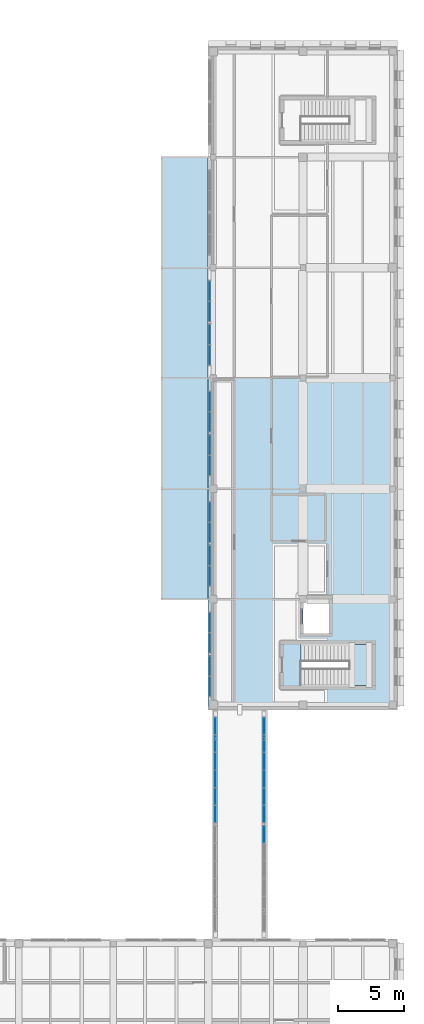
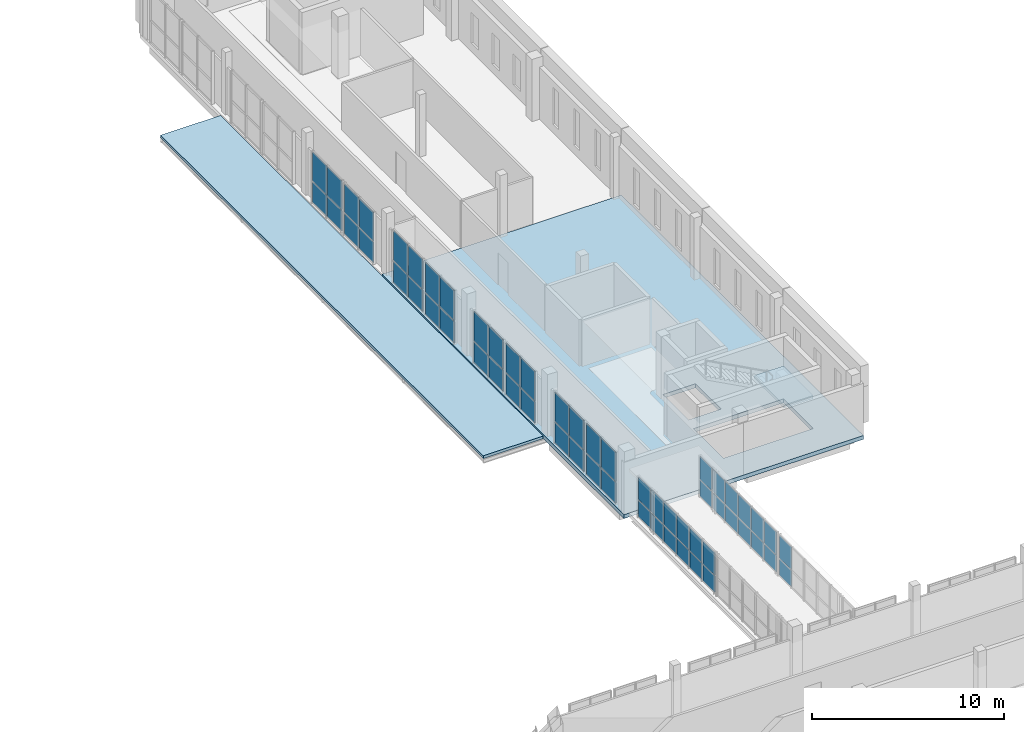
# One storey, part 45 of 76: 58 plates, 3 slabs, 12 elements without a shape of their own.
"""IFC4 building model written with IfcOpenShell, lengths in metres."""

from ifc_helpers import new_model, si_unit, direction, frame, origin, origin_2d, place, context, subcontext, project, spatial, polyline, rectangle, outline, extrude, material, layer, layer_set, type_object, element, aggregate, save


model = new_model("IFC4")

# Units and contexts
model_context = context("Model", 3, precision=1e-05, world=origin(), true_north=direction((0.0, 1.0)))
body_context = subcontext(model_context, "Body", "Model", "MODEL_VIEW")
ifc_project = project(units=[si_unit("LENGTHUNIT", "METRE"), si_unit("AREAUNIT", "SQUARE_METRE"), si_unit("VOLUMEUNIT", "CUBIC_METRE"), si_unit("PLANEANGLEUNIT", "RADIAN"), si_unit("MASSUNIT", "GRAM", prefix="KILO")], contexts=[model_context])

# Site, building, storey
site_placement = place(None, origin())
site = spatial("IfcSite", under=ifc_project, at=site_placement, CompositionType="ELEMENT")
building_placement = place(site_placement, origin())
building = spatial("IfcBuilding", under=site, at=building_placement, Name="Vardoun Plaza Health Centre", CompositionType="ELEMENT")
storey_placement = place(building_placement, frame((0.0, 0.0, 4.5)))
storey = spatial("IfcBuildingStorey", under=building, at=storey_placement, Name="L01", CompositionType="ELEMENT", Elevation=4.5)

# Curtain wall, plates
ifc_material_1 = material(Name="Aluminium Alloy EN AW-6063-T6 and Low-E Glass", Category="aluminium")
ifc_layer_1 = layer(ifc_material_1, 0.14990234375)
ifc_layer_set_1 = layer_set([ifc_layer_1], Name="Aluminium Alloy EN AW-6063-T6 and Low-E Glass")
curtain_wall_type_1 = type_object("IfcCurtainWallType", Name="CW-03", PredefinedType="NOTDEFINED", material=ifc_layer_set_1)
curtain_wall_1_placement = place(storey_placement, origin())
curtain_wall_1 = element("IfcCurtainWall", 1, at=curtain_wall_1_placement, inside=storey, type_object=curtain_wall_type_1, Name="Curtain Wall CW-BR-5ES", PredefinedType="NOTDEFINED")
ifc_material_2 = material(Name="Solar-Control Double Low-E Glazing", Category="glass")
ifc_layer_2 = layer(ifc_material_2, 0.028076171875)
ifc_layer_set_2 = layer_set([ifc_layer_2], Name="Solar-Control Double Low-E Glazing")
plate_type_1 = type_object("IfcPlateType", Name="CW-P1", PredefinedType="CURTAIN_PANEL", material=ifc_layer_set_2)
plate_1_placement = place(storey_placement, frame((155.14990234375, 26.814208984375, 0.06005859375), z_axis=(0.0, 0.0, 1.0), x_axis=(0.0, -1.0, 0.0)))
plate_1 = element("IfcPlate", 2, at=plate_1_placement, type_object=plate_type_1, Name="CW-BR-5ES panel 1.1", PredefinedType="CURTAIN_PANEL", context=body_context, shape_type="SweptSolid", body=[
    extrude(rectangle(XDim=1.251708984375, YDim=0.028076171875, at=origin_2d()), origin(), (0.0, 0.0, 1.0), 1.02294921875),
])
plate_2_placement = place(storey_placement, frame((155.14990234375, 26.814208984375, 1.14306640625), z_axis=(0.0, 0.0, 1.0), x_axis=(0.0, -1.0, 0.0)))
plate_2 = element("IfcPlate", 3, at=plate_2_placement, type_object=plate_type_1, Name="CW-BR-5ES panel 1.2", PredefinedType="CURTAIN_PANEL", context=body_context, shape_type="SweptSolid", body=[
    extrude(rectangle(XDim=1.251708984375, YDim=0.028076171875, at=origin_2d()), origin(), (0.0, 0.0, 1.0), 1.447021484375),
])
aggregate(curtain_wall_1, [plate_1, plate_2])

curtain_wall_2_placement = place(storey_placement, origin())
curtain_wall_2 = element("IfcCurtainWall", 4, at=curtain_wall_2_placement, inside=storey, type_object=curtain_wall_type_1, Name="Curtain Wall CW-BR-5WN", PredefinedType="NOTDEFINED")
plate_3_placement = place(storey_placement, frame((151.449951171875, 28.3857421875, 0.06005859375), z_axis=(0.0, 0.0, 1.0), x_axis=(0.0, 1.0, 0.0)))
plate_3 = element("IfcPlate", 5, at=plate_3_placement, type_object=plate_type_1, Name="CW-BR-5WN panel 1.1", PredefinedType="CURTAIN_PANEL", context=body_context, shape_type="SweptSolid", body=[
    extrude(rectangle(XDim=1.251708984375, YDim=0.028076171875, at=origin_2d()), origin(), (0.0, 0.0, 1.0), 1.02294921875),
])
plate_4_placement = place(storey_placement, frame((151.449951171875, 28.3857421875, 1.14306640625), z_axis=(0.0, 0.0, 1.0), x_axis=(0.0, 1.0, 0.0)))
plate_4 = element("IfcPlate", 6, at=plate_4_placement, type_object=plate_type_1, Name="CW-BR-5WN panel 1.2", PredefinedType="CURTAIN_PANEL", context=body_context, shape_type="SweptSolid", body=[
    extrude(rectangle(XDim=1.251708984375, YDim=0.028076171875, at=origin_2d()), origin(), (0.0, 0.0, 1.0), 1.447021484375),
])
plate_5_placement = place(storey_placement, frame((151.449951171875, 29.71240234375, 0.06005859375), z_axis=(0.0, 0.0, 1.0), x_axis=(0.0, 1.0, 0.0)))
plate_5 = element("IfcPlate", 7, at=plate_5_placement, type_object=plate_type_1, Name="CW-BR-5WN panel 2.1", PredefinedType="CURTAIN_PANEL", context=body_context, shape_type="SweptSolid", body=[
    extrude(rectangle(XDim=1.28173828125, YDim=0.028076171875, at=origin_2d()), origin(), (0.0, 0.0, 1.0), 1.02294921875),
])
plate_6_placement = place(storey_placement, frame((151.449951171875, 29.71240234375, 1.14306640625), z_axis=(0.0, 0.0, 1.0), x_axis=(0.0, 1.0, 0.0)))
plate_6 = element("IfcPlate", 8, at=plate_6_placement, type_object=plate_type_1, Name="CW-BR-5WN panel 2.2", PredefinedType="CURTAIN_PANEL", context=body_context, shape_type="SweptSolid", body=[
    extrude(rectangle(XDim=1.28173828125, YDim=0.028076171875, at=origin_2d()), origin(), (0.0, 0.0, 1.0), 1.447021484375),
])
plate_7_placement = place(storey_placement, frame((151.449951171875, 31.05419921875, 0.06005859375), z_axis=(0.0, 0.0, 1.0), x_axis=(0.0, 1.0, 0.0)))
plate_7 = element("IfcPlate", 9, at=plate_7_placement, type_object=plate_type_1, Name="CW-BR-5WN panel 3.1", PredefinedType="CURTAIN_PANEL", context=body_context, shape_type="SweptSolid", body=[
    extrude(rectangle(XDim=1.28173828125, YDim=0.028076171875, at=origin_2d()), origin(), (0.0, 0.0, 1.0), 1.02294921875),
])
plate_8_placement = place(storey_placement, frame((151.449951171875, 31.05419921875, 1.14306640625), z_axis=(0.0, 0.0, 1.0), x_axis=(0.0, 1.0, 0.0)))
plate_8 = element("IfcPlate", 10, at=plate_8_placement, type_object=plate_type_1, Name="CW-BR-5WN panel 3.2", PredefinedType="CURTAIN_PANEL", context=body_context, shape_type="SweptSolid", body=[
    extrude(rectangle(XDim=1.28173828125, YDim=0.028076171875, at=origin_2d()), origin(), (0.0, 0.0, 1.0), 1.447021484375),
])
plate_9_placement = place(storey_placement, frame((151.449951171875, 32.395751953125, 0.06005859375), z_axis=(0.0, 0.0, 1.0), x_axis=(0.0, 1.0, 0.0)))
plate_9 = element("IfcPlate", 11, at=plate_9_placement, type_object=plate_type_1, Name="CW-BR-5WN panel 4.1", PredefinedType="CURTAIN_PANEL", context=body_context, shape_type="SweptSolid", body=[
    extrude(rectangle(XDim=1.28173828125, YDim=0.028076171875, at=origin_2d()), origin(), (0.0, 0.0, 1.0), 1.02294921875),
])
plate_10_placement = place(storey_placement, frame((151.449951171875, 32.395751953125, 1.14306640625), z_axis=(0.0, 0.0, 1.0), x_axis=(0.0, 1.0, 0.0)))
plate_10 = element("IfcPlate", 12, at=plate_10_placement, type_object=plate_type_1, Name="CW-BR-5WN panel 4.2", PredefinedType="CURTAIN_PANEL", context=body_context, shape_type="SweptSolid", body=[
    extrude(rectangle(XDim=1.28173828125, YDim=0.028076171875, at=origin_2d()), origin(), (0.0, 0.0, 1.0), 1.447021484375),
])
plate_11_placement = place(storey_placement, frame((151.449951171875, 33.737548828125, 0.06005859375), z_axis=(0.0, 0.0, 1.0), x_axis=(0.0, 1.0, 0.0)))
plate_11 = element("IfcPlate", 13, at=plate_11_placement, type_object=plate_type_1, Name="CW-BR-5WN panel 5.1", PredefinedType="CURTAIN_PANEL", context=body_context, shape_type="SweptSolid", body=[
    extrude(rectangle(XDim=1.28173828125, YDim=0.028076171875, at=origin_2d()), origin(), (0.0, 0.0, 1.0), 1.02294921875),
])
plate_12_placement = place(storey_placement, frame((151.449951171875, 33.737548828125, 1.14306640625), z_axis=(0.0, 0.0, 1.0), x_axis=(0.0, 1.0, 0.0)))
plate_12 = element("IfcPlate", 14, at=plate_12_placement, type_object=plate_type_1, Name="CW-BR-5WN panel 5.2", PredefinedType="CURTAIN_PANEL", context=body_context, shape_type="SweptSolid", body=[
    extrude(rectangle(XDim=1.28173828125, YDim=0.028076171875, at=origin_2d()), origin(), (0.0, 0.0, 1.0), 1.447021484375),
])
plate_13_placement = place(storey_placement, frame((151.449951171875, 35.064208984375, 0.06005859375), z_axis=(0.0, 0.0, 1.0), x_axis=(0.0, 1.0, 0.0)))
plate_13 = element("IfcPlate", 15, at=plate_13_placement, type_object=plate_type_1, Name="CW-BR-5WN panel 6.1", PredefinedType="CURTAIN_PANEL", context=body_context, shape_type="SweptSolid", body=[
    extrude(rectangle(XDim=1.251708984375, YDim=0.028076171875, at=origin_2d()), origin(), (0.0, 0.0, 1.0), 1.02294921875),
])
plate_14_placement = place(storey_placement, frame((151.449951171875, 35.064208984375, 1.14306640625), z_axis=(0.0, 0.0, 1.0), x_axis=(0.0, 1.0, 0.0)))
plate_14 = element("IfcPlate", 16, at=plate_14_placement, type_object=plate_type_1, Name="CW-BR-5WN panel 6.2", PredefinedType="CURTAIN_PANEL", context=body_context, shape_type="SweptSolid", body=[
    extrude(rectangle(XDim=1.251708984375, YDim=0.028076171875, at=origin_2d()), origin(), (0.0, 0.0, 1.0), 1.447021484375),
])
aggregate(curtain_wall_2, [plate_3, plate_4, plate_5, plate_6, plate_7, plate_8, plate_9, plate_10, plate_11, plate_12, plate_13, plate_14])

curtain_wall_3_placement = place(storey_placement, origin())
curtain_wall_3 = element("IfcCurtainWall", 17, at=curtain_wall_3_placement, inside=storey, type_object=curtain_wall_type_1, Name="Curtain Wall CW-BR-5EN", PredefinedType="NOTDEFINED")
plate_15_placement = place(storey_placement, frame((155.14990234375, 35.064208984375, 0.06005859375), z_axis=(0.0, 0.0, 1.0), x_axis=(0.0, -1.0, 0.0)))
plate_15 = element("IfcPlate", 18, at=plate_15_placement, type_object=plate_type_1, Name="CW-BR-5EN panel 1.1", PredefinedType="CURTAIN_PANEL", context=body_context, shape_type="SweptSolid", body=[
    extrude(rectangle(XDim=1.251708984375, YDim=0.028076171875, at=origin_2d()), origin(), (0.0, 0.0, 1.0), 1.02294921875),
])
plate_16_placement = place(storey_placement, frame((155.14990234375, 35.064208984375, 1.14306640625), z_axis=(0.0, 0.0, 1.0), x_axis=(0.0, -1.0, 0.0)))
plate_16 = element("IfcPlate", 19, at=plate_16_placement, type_object=plate_type_1, Name="CW-BR-5EN panel 1.2", PredefinedType="CURTAIN_PANEL", context=body_context, shape_type="SweptSolid", body=[
    extrude(rectangle(XDim=1.251708984375, YDim=0.028076171875, at=origin_2d()), origin(), (0.0, 0.0, 1.0), 1.447021484375),
])
plate_17_placement = place(storey_placement, frame((155.14990234375, 33.737548828125, 0.06005859375), z_axis=(0.0, 0.0, 1.0), x_axis=(0.0, -1.0, 0.0)))
plate_17 = element("IfcPlate", 20, at=plate_17_placement, type_object=plate_type_1, Name="CW-BR-5EN panel 2.1", PredefinedType="CURTAIN_PANEL", context=body_context, shape_type="SweptSolid", body=[
    extrude(rectangle(XDim=1.28173828125, YDim=0.028076171875, at=origin_2d()), origin(), (0.0, 0.0, 1.0), 1.02294921875),
])
plate_18_placement = place(storey_placement, frame((155.14990234375, 33.737548828125, 1.14306640625), z_axis=(0.0, 0.0, 1.0), x_axis=(0.0, -1.0, 0.0)))
plate_18 = element("IfcPlate", 21, at=plate_18_placement, type_object=plate_type_1, Name="CW-BR-5EN panel 2.2", PredefinedType="CURTAIN_PANEL", context=body_context, shape_type="SweptSolid", body=[
    extrude(rectangle(XDim=1.28173828125, YDim=0.028076171875, at=origin_2d()), origin(), (0.0, 0.0, 1.0), 1.447021484375),
])
plate_19_placement = place(storey_placement, frame((155.14990234375, 32.395751953125, 0.06005859375), z_axis=(0.0, 0.0, 1.0), x_axis=(0.0, -1.0, 0.0)))
plate_19 = element("IfcPlate", 22, at=plate_19_placement, type_object=plate_type_1, Name="CW-BR-5EN panel 3.1", PredefinedType="CURTAIN_PANEL", context=body_context, shape_type="SweptSolid", body=[
    extrude(rectangle(XDim=1.28173828125, YDim=0.028076171875, at=origin_2d()), origin(), (0.0, 0.0, 1.0), 1.02294921875),
])
plate_20_placement = place(storey_placement, frame((155.14990234375, 32.395751953125, 1.14306640625), z_axis=(0.0, 0.0, 1.0), x_axis=(0.0, -1.0, 0.0)))
plate_20 = element("IfcPlate", 23, at=plate_20_placement, type_object=plate_type_1, Name="CW-BR-5EN panel 3.2", PredefinedType="CURTAIN_PANEL", context=body_context, shape_type="SweptSolid", body=[
    extrude(rectangle(XDim=1.28173828125, YDim=0.028076171875, at=origin_2d()), origin(), (0.0, 0.0, 1.0), 1.447021484375),
])
plate_21_placement = place(storey_placement, frame((155.14990234375, 31.05419921875, 0.06005859375), z_axis=(0.0, 0.0, 1.0), x_axis=(0.0, -1.0, 0.0)))
plate_21 = element("IfcPlate", 24, at=plate_21_placement, type_object=plate_type_1, Name="CW-BR-5EN panel 4.1", PredefinedType="CURTAIN_PANEL", context=body_context, shape_type="SweptSolid", body=[
    extrude(rectangle(XDim=1.28173828125, YDim=0.028076171875, at=origin_2d()), origin(), (0.0, 0.0, 1.0), 1.02294921875),
])
plate_22_placement = place(storey_placement, frame((155.14990234375, 31.05419921875, 1.14306640625), z_axis=(0.0, 0.0, 1.0), x_axis=(0.0, -1.0, 0.0)))
plate_22 = element("IfcPlate", 25, at=plate_22_placement, type_object=plate_type_1, Name="CW-BR-5EN panel 4.2", PredefinedType="CURTAIN_PANEL", context=body_context, shape_type="SweptSolid", body=[
    extrude(rectangle(XDim=1.28173828125, YDim=0.028076171875, at=origin_2d()), origin(), (0.0, 0.0, 1.0), 1.447021484375),
])
plate_23_placement = place(storey_placement, frame((155.14990234375, 29.71240234375, 0.06005859375), z_axis=(0.0, 0.0, 1.0), x_axis=(0.0, -1.0, 0.0)))
plate_23 = element("IfcPlate", 26, at=plate_23_placement, type_object=plate_type_1, Name="CW-BR-5EN panel 5.1", PredefinedType="CURTAIN_PANEL", context=body_context, shape_type="SweptSolid", body=[
    extrude(rectangle(XDim=1.28173828125, YDim=0.028076171875, at=origin_2d()), origin(), (0.0, 0.0, 1.0), 1.02294921875),
])
plate_24_placement = place(storey_placement, frame((155.14990234375, 29.71240234375, 1.14306640625), z_axis=(0.0, 0.0, 1.0), x_axis=(0.0, -1.0, 0.0)))
plate_24 = element("IfcPlate", 27, at=plate_24_placement, type_object=plate_type_1, Name="CW-BR-5EN panel 5.2", PredefinedType="CURTAIN_PANEL", context=body_context, shape_type="SweptSolid", body=[
    extrude(rectangle(XDim=1.28173828125, YDim=0.028076171875, at=origin_2d()), origin(), (0.0, 0.0, 1.0), 1.447021484375),
])
plate_25_placement = place(storey_placement, frame((155.14990234375, 28.3857421875, 0.06005859375), z_axis=(0.0, 0.0, 1.0), x_axis=(0.0, -1.0, 0.0)))
plate_25 = element("IfcPlate", 28, at=plate_25_placement, type_object=plate_type_1, Name="CW-BR-5EN panel 6.1", PredefinedType="CURTAIN_PANEL", context=body_context, shape_type="SweptSolid", body=[
    extrude(rectangle(XDim=1.251708984375, YDim=0.028076171875, at=origin_2d()), origin(), (0.0, 0.0, 1.0), 1.02294921875),
])
plate_26_placement = place(storey_placement, frame((155.14990234375, 28.3857421875, 1.14306640625), z_axis=(0.0, 0.0, 1.0), x_axis=(0.0, -1.0, 0.0)))
plate_26 = element("IfcPlate", 29, at=plate_26_placement, type_object=plate_type_1, Name="CW-BR-5EN panel 6.2", PredefinedType="CURTAIN_PANEL", context=body_context, shape_type="SweptSolid", body=[
    extrude(rectangle(XDim=1.251708984375, YDim=0.028076171875, at=origin_2d()), origin(), (0.0, 0.0, 1.0), 1.447021484375),
])
aggregate(curtain_wall_3, [plate_15, plate_16, plate_17, plate_18, plate_19, plate_20, plate_21, plate_22, plate_23, plate_24, plate_25, plate_26])

ifc_material_3 = material(Name="Aluminium Alloy EN AW-6063-T6 and Low-E Glass", Category="aluminium")
ifc_layer_3 = layer(ifc_material_3, 0.179931640625)
ifc_layer_set_3 = layer_set([ifc_layer_3], Name="Aluminium Alloy EN AW-6063-T6 and Low-E Glass")
curtain_wall_type_2 = type_object("IfcCurtainWallType", Name="CW-01", PredefinedType="USERDEFINED", material=ifc_layer_set_3)
curtain_wall_4_placement = place(storey_placement, origin())
curtain_wall_4 = element("IfcCurtainWall", 30, at=curtain_wall_4_placement, inside=storey, type_object=curtain_wall_type_2, Name="Curtain Wall CW-V6-203", ObjectType="CONCOURSE_CURTAIN_WALL", PredefinedType="USERDEFINED")
ifc_material_4 = material(Name="Acoustic Laminated Double Low-E Glazing", Category="glass")
ifc_layer_4 = layer(ifc_material_4, 0.031982421875)
ifc_layer_set_4 = layer_set([ifc_layer_4], Name="Acoustic Laminated Double Low-E Glazing")
plate_type_2 = type_object("IfcPlateType", Name="CW-P2", PredefinedType="CURTAIN_PANEL", material=ifc_layer_set_4)
plate_27_placement = place(storey_placement, frame((151.02001953125, 38.066162109375, 0.06494140625), z_axis=(0.0, 0.0, 1.0), x_axis=(0.0, 1.0, 0.0)))
plate_27 = element("IfcPlate", 31, at=plate_27_placement, type_object=plate_type_2, Name="CW-V6-203 panel 1.1", PredefinedType="CURTAIN_PANEL", context=body_context, shape_type="SweptSolid", body=[
    extrude(rectangle(XDim=1.482421875, YDim=0.031982421875, at=origin_2d()), origin(), (0.0, 0.0, 1.0), 1.3115234375),
])
plate_28_placement = place(storey_placement, frame((151.02001953125, 38.066162109375, 1.44140625), z_axis=(0.0, 0.0, 1.0), x_axis=(0.0, 1.0, 0.0)))
plate_28 = element("IfcPlate", 32, at=plate_28_placement, type_object=plate_type_2, Name="CW-V6-203 panel 1.2", PredefinedType="CURTAIN_PANEL", context=body_context, shape_type="SweptSolid", body=[
    extrude(rectangle(XDim=1.482421875, YDim=0.031982421875, at=origin_2d()), origin(), (0.0, 0.0, 1.0), 1.848388671875),
])
plate_29_placement = place(storey_placement, frame((151.02001953125, 39.61376953125, 0.06494140625), z_axis=(0.0, 0.0, 1.0), x_axis=(0.0, 1.0, 0.0)))
plate_29 = element("IfcPlate", 33, at=plate_29_placement, type_object=plate_type_2, Name="CW-V6-203 panel 2.1", PredefinedType="CURTAIN_PANEL", context=body_context, shape_type="SweptSolid", body=[
    extrude(rectangle(XDim=1.482421875, YDim=0.031982421875, at=origin_2d()), origin(), (0.0, 0.0, 1.0), 1.3115234375),
])
plate_30_placement = place(storey_placement, frame((151.02001953125, 39.61376953125, 1.44140625), z_axis=(0.0, 0.0, 1.0), x_axis=(0.0, 1.0, 0.0)))
plate_30 = element("IfcPlate", 34, at=plate_30_placement, type_object=plate_type_2, Name="CW-V6-203 panel 2.2", PredefinedType="CURTAIN_PANEL", context=body_context, shape_type="SweptSolid", body=[
    extrude(rectangle(XDim=1.482421875, YDim=0.031982421875, at=origin_2d()), origin(), (0.0, 0.0, 1.0), 1.848388671875),
])
aggregate(curtain_wall_4, [plate_27, plate_28, plate_29, plate_30])

curtain_wall_5_placement = place(storey_placement, origin())
curtain_wall_5 = element("IfcCurtainWall", 35, at=curtain_wall_5_placement, inside=storey, type_object=curtain_wall_type_2, Name="Curtain Wall CW-V6-204", ObjectType="CONCOURSE_CURTAIN_WALL", PredefinedType="USERDEFINED")
plate_31_placement = place(storey_placement, frame((151.02001953125, 41.38623046875, 0.06494140625), z_axis=(0.0, 0.0, 1.0), x_axis=(0.0, 1.0, 0.0)))
plate_31 = element("IfcPlate", 36, at=plate_31_placement, type_object=plate_type_2, Name="CW-V6-204 panel 1.1", PredefinedType="CURTAIN_PANEL", context=body_context, shape_type="SweptSolid", body=[
    extrude(rectangle(XDim=1.482421875, YDim=0.031982421875, at=origin_2d()), origin(), (0.0, 0.0, 1.0), 1.3115234375),
])
plate_32_placement = place(storey_placement, frame((151.02001953125, 41.38623046875, 1.44140625), z_axis=(0.0, 0.0, 1.0), x_axis=(0.0, 1.0, 0.0)))
plate_32 = element("IfcPlate", 37, at=plate_32_placement, type_object=plate_type_2, Name="CW-V6-204 panel 1.2", PredefinedType="CURTAIN_PANEL", context=body_context, shape_type="SweptSolid", body=[
    extrude(rectangle(XDim=1.482421875, YDim=0.031982421875, at=origin_2d()), origin(), (0.0, 0.0, 1.0), 1.848388671875),
])
plate_33_placement = place(storey_placement, frame((151.02001953125, 42.933837890625, 0.06494140625), z_axis=(0.0, 0.0, 1.0), x_axis=(0.0, 1.0, 0.0)))
plate_33 = element("IfcPlate", 38, at=plate_33_placement, type_object=plate_type_2, Name="CW-V6-204 panel 2.1", PredefinedType="CURTAIN_PANEL", context=body_context, shape_type="SweptSolid", body=[
    extrude(rectangle(XDim=1.482421875, YDim=0.031982421875, at=origin_2d()), origin(), (0.0, 0.0, 1.0), 1.3115234375),
])
plate_34_placement = place(storey_placement, frame((151.02001953125, 42.933837890625, 1.44140625), z_axis=(0.0, 0.0, 1.0), x_axis=(0.0, 1.0, 0.0)))
plate_34 = element("IfcPlate", 39, at=plate_34_placement, type_object=plate_type_2, Name="CW-V6-204 panel 2.2", PredefinedType="CURTAIN_PANEL", context=body_context, shape_type="SweptSolid", body=[
    extrude(rectangle(XDim=1.482421875, YDim=0.031982421875, at=origin_2d()), origin(), (0.0, 0.0, 1.0), 1.848388671875),
])
aggregate(curtain_wall_5, [plate_31, plate_32, plate_33, plate_34])

curtain_wall_6_placement = place(storey_placement, origin())
curtain_wall_6 = element("IfcCurtainWall", 40, at=curtain_wall_6_placement, inside=storey, type_object=curtain_wall_type_2, Name="Curtain Wall CW-V6-205", ObjectType="CONCOURSE_CURTAIN_WALL", PredefinedType="USERDEFINED")
plate_35_placement = place(storey_placement, frame((151.02001953125, 46.46630859375, 0.06494140625), z_axis=(0.0, 0.0, 1.0), x_axis=(0.0, 1.0, 0.0)))
plate_35 = element("IfcPlate", 41, at=plate_35_placement, type_object=plate_type_2, Name="CW-V6-205 panel 1.1", PredefinedType="CURTAIN_PANEL", context=body_context, shape_type="SweptSolid", body=[
    extrude(rectangle(XDim=1.482421875, YDim=0.031982421875, at=origin_2d()), origin(), (0.0, 0.0, 1.0), 1.32421875),
])
plate_36_placement = place(storey_placement, frame((151.02001953125, 46.46630859375, 1.454345703125), z_axis=(0.0, 0.0, 1.0), x_axis=(0.0, 1.0, 0.0)))
plate_36 = element("IfcPlate", 42, at=plate_36_placement, type_object=plate_type_2, Name="CW-V6-205 panel 1.2", PredefinedType="CURTAIN_PANEL", context=body_context, shape_type="SweptSolid", body=[
    extrude(rectangle(XDim=1.482421875, YDim=0.031982421875, at=origin_2d()), origin(), (0.0, 0.0, 1.0), 1.86572265625),
])
plate_37_placement = place(storey_placement, frame((151.02001953125, 48.013671875, 0.06494140625), z_axis=(0.0, 0.0, 1.0), x_axis=(0.0, 1.0, 0.0)))
plate_37 = element("IfcPlate", 43, at=plate_37_placement, type_object=plate_type_2, Name="CW-V6-205 panel 2.1", PredefinedType="CURTAIN_PANEL", context=body_context, shape_type="SweptSolid", body=[
    extrude(rectangle(XDim=1.482421875, YDim=0.031982421875, at=origin_2d()), origin(), (0.0, 0.0, 1.0), 1.32421875),
])
plate_38_placement = place(storey_placement, frame((151.02001953125, 48.013671875, 1.454345703125), z_axis=(0.0, 0.0, 1.0), x_axis=(0.0, 1.0, 0.0)))
plate_38 = element("IfcPlate", 44, at=plate_38_placement, type_object=plate_type_2, Name="CW-V6-205 panel 2.2", PredefinedType="CURTAIN_PANEL", context=body_context, shape_type="SweptSolid", body=[
    extrude(rectangle(XDim=1.482421875, YDim=0.031982421875, at=origin_2d()), origin(), (0.0, 0.0, 1.0), 1.86572265625),
])
aggregate(curtain_wall_6, [plate_35, plate_36, plate_37, plate_38])

curtain_wall_7_placement = place(storey_placement, origin())
curtain_wall_7 = element("IfcCurtainWall", 45, at=curtain_wall_7_placement, inside=storey, type_object=curtain_wall_type_2, Name="Curtain Wall CW-V6-206", ObjectType="CONCOURSE_CURTAIN_WALL", PredefinedType="USERDEFINED")
plate_39_placement = place(storey_placement, frame((151.02001953125, 49.7861328125, 0.06494140625), z_axis=(0.0, 0.0, 1.0), x_axis=(0.0, 1.0, 0.0)))
plate_39 = element("IfcPlate", 46, at=plate_39_placement, type_object=plate_type_2, Name="CW-V6-206 panel 1.1", PredefinedType="CURTAIN_PANEL", context=body_context, shape_type="SweptSolid", body=[
    extrude(rectangle(XDim=1.482421875, YDim=0.031982421875, at=origin_2d()), origin(), (0.0, 0.0, 1.0), 1.32421875),
])
plate_40_placement = place(storey_placement, frame((151.02001953125, 49.7861328125, 1.454345703125), z_axis=(0.0, 0.0, 1.0), x_axis=(0.0, 1.0, 0.0)))
plate_40 = element("IfcPlate", 47, at=plate_40_placement, type_object=plate_type_2, Name="CW-V6-206 panel 1.2", PredefinedType="CURTAIN_PANEL", context=body_context, shape_type="SweptSolid", body=[
    extrude(rectangle(XDim=1.482421875, YDim=0.031982421875, at=origin_2d()), origin(), (0.0, 0.0, 1.0), 1.86572265625),
])
plate_41_placement = place(storey_placement, frame((151.02001953125, 51.333740234375, 0.06494140625), z_axis=(0.0, 0.0, 1.0), x_axis=(0.0, 1.0, 0.0)))
plate_41 = element("IfcPlate", 48, at=plate_41_placement, type_object=plate_type_2, Name="CW-V6-206 panel 2.1", PredefinedType="CURTAIN_PANEL", context=body_context, shape_type="SweptSolid", body=[
    extrude(rectangle(XDim=1.482421875, YDim=0.031982421875, at=origin_2d()), origin(), (0.0, 0.0, 1.0), 1.32421875),
])
plate_42_placement = place(storey_placement, frame((151.02001953125, 51.333740234375, 1.454345703125), z_axis=(0.0, 0.0, 1.0), x_axis=(0.0, 1.0, 0.0)))
plate_42 = element("IfcPlate", 49, at=plate_42_placement, type_object=plate_type_2, Name="CW-V6-206 panel 2.2", PredefinedType="CURTAIN_PANEL", context=body_context, shape_type="SweptSolid", body=[
    extrude(rectangle(XDim=1.482421875, YDim=0.031982421875, at=origin_2d()), origin(), (0.0, 0.0, 1.0), 1.86572265625),
])
aggregate(curtain_wall_7, [plate_39, plate_40, plate_41, plate_42])

curtain_wall_8_placement = place(storey_placement, origin())
curtain_wall_8 = element("IfcCurtainWall", 50, at=curtain_wall_8_placement, inside=storey, type_object=curtain_wall_type_2, Name="Curtain Wall CW-V6-207", ObjectType="CONCOURSE_CURTAIN_WALL", PredefinedType="USERDEFINED")
plate_43_placement = place(storey_placement, frame((151.02001953125, 54.8662109375, 0.06494140625), z_axis=(0.0, 0.0, 1.0), x_axis=(0.0, 1.0, 0.0)))
plate_43 = element("IfcPlate", 51, at=plate_43_placement, type_object=plate_type_2, Name="CW-V6-207 panel 1.1", PredefinedType="CURTAIN_PANEL", context=body_context, shape_type="SweptSolid", body=[
    extrude(rectangle(XDim=1.482421875, YDim=0.031982421875, at=origin_2d()), origin(), (0.0, 0.0, 1.0), 1.34521484375),
])
plate_44_placement = place(storey_placement, frame((151.02001953125, 54.8662109375, 1.47509765625), z_axis=(0.0, 0.0, 1.0), x_axis=(0.0, 1.0, 0.0)))
plate_44 = element("IfcPlate", 52, at=plate_44_placement, type_object=plate_type_2, Name="CW-V6-207 panel 1.2", PredefinedType="CURTAIN_PANEL", context=body_context, shape_type="SweptSolid", body=[
    extrude(rectangle(XDim=1.482421875, YDim=0.031982421875, at=origin_2d()), origin(), (0.0, 0.0, 1.0), 1.894775390625),
])
plate_45_placement = place(storey_placement, frame((151.02001953125, 56.413818359375, 0.06494140625), z_axis=(0.0, 0.0, 1.0), x_axis=(0.0, 1.0, 0.0)))
plate_45 = element("IfcPlate", 53, at=plate_45_placement, type_object=plate_type_2, Name="CW-V6-207 panel 2.1", PredefinedType="CURTAIN_PANEL", context=body_context, shape_type="SweptSolid", body=[
    extrude(rectangle(XDim=1.482421875, YDim=0.031982421875, at=origin_2d()), origin(), (0.0, 0.0, 1.0), 1.34521484375),
])
plate_46_placement = place(storey_placement, frame((151.02001953125, 56.413818359375, 1.47509765625), z_axis=(0.0, 0.0, 1.0), x_axis=(0.0, 1.0, 0.0)))
plate_46 = element("IfcPlate", 54, at=plate_46_placement, type_object=plate_type_2, Name="CW-V6-207 panel 2.2", PredefinedType="CURTAIN_PANEL", context=body_context, shape_type="SweptSolid", body=[
    extrude(rectangle(XDim=1.482421875, YDim=0.031982421875, at=origin_2d()), origin(), (0.0, 0.0, 1.0), 1.894775390625),
])
aggregate(curtain_wall_8, [plate_43, plate_44, plate_45, plate_46])

curtain_wall_9_placement = place(storey_placement, origin())
curtain_wall_9 = element("IfcCurtainWall", 55, at=curtain_wall_9_placement, inside=storey, type_object=curtain_wall_type_2, Name="Curtain Wall CW-V6-208", ObjectType="CONCOURSE_CURTAIN_WALL", PredefinedType="USERDEFINED")
plate_47_placement = place(storey_placement, frame((151.02001953125, 58.186279296875, 0.06494140625), z_axis=(0.0, 0.0, 1.0), x_axis=(0.0, 1.0, 0.0)))
plate_47 = element("IfcPlate", 56, at=plate_47_placement, type_object=plate_type_2, Name="CW-V6-208 panel 1.1", PredefinedType="CURTAIN_PANEL", context=body_context, shape_type="SweptSolid", body=[
    extrude(rectangle(XDim=1.482421875, YDim=0.031982421875, at=origin_2d()), origin(), (0.0, 0.0, 1.0), 1.34521484375),
])
plate_48_placement = place(storey_placement, frame((151.02001953125, 58.186279296875, 1.47509765625), z_axis=(0.0, 0.0, 1.0), x_axis=(0.0, 1.0, 0.0)))
plate_48 = element("IfcPlate", 57, at=plate_48_placement, type_object=plate_type_2, Name="CW-V6-208 panel 1.2", PredefinedType="CURTAIN_PANEL", context=body_context, shape_type="SweptSolid", body=[
    extrude(rectangle(XDim=1.482421875, YDim=0.031982421875, at=origin_2d()), origin(), (0.0, 0.0, 1.0), 1.894775390625),
])
plate_49_placement = place(storey_placement, frame((151.02001953125, 59.733642578125, 0.06494140625), z_axis=(0.0, 0.0, 1.0), x_axis=(0.0, 1.0, 0.0)))
plate_49 = element("IfcPlate", 58, at=plate_49_placement, type_object=plate_type_2, Name="CW-V6-208 panel 2.1", PredefinedType="CURTAIN_PANEL", context=body_context, shape_type="SweptSolid", body=[
    extrude(rectangle(XDim=1.482421875, YDim=0.031982421875, at=origin_2d()), origin(), (0.0, 0.0, 1.0), 1.34521484375),
])
plate_50_placement = place(storey_placement, frame((151.02001953125, 59.733642578125, 1.47509765625), z_axis=(0.0, 0.0, 1.0), x_axis=(0.0, 1.0, 0.0)))
plate_50 = element("IfcPlate", 59, at=plate_50_placement, type_object=plate_type_2, Name="CW-V6-208 panel 2.2", PredefinedType="CURTAIN_PANEL", context=body_context, shape_type="SweptSolid", body=[
    extrude(rectangle(XDim=1.482421875, YDim=0.031982421875, at=origin_2d()), origin(), (0.0, 0.0, 1.0), 1.894775390625),
])
aggregate(curtain_wall_9, [plate_47, plate_48, plate_49, plate_50])

curtain_wall_10_placement = place(storey_placement, origin())
curtain_wall_10 = element("IfcCurtainWall", 60, at=curtain_wall_10_placement, inside=storey, type_object=curtain_wall_type_2, Name="Curtain Wall CW-V6-209", ObjectType="CONCOURSE_CURTAIN_WALL", PredefinedType="USERDEFINED")
plate_51_placement = place(storey_placement, frame((151.02001953125, 63.266357421875, 0.06494140625), z_axis=(0.0, 0.0, 1.0), x_axis=(0.0, 1.0, 0.0)))
plate_51 = element("IfcPlate", 61, at=plate_51_placement, type_object=plate_type_2, Name="CW-V6-209 panel 1.1", PredefinedType="CURTAIN_PANEL", context=body_context, shape_type="SweptSolid", body=[
    extrude(rectangle(XDim=1.482421875, YDim=0.031982421875, at=origin_2d()), origin(), (0.0, 0.0, 1.0), 1.294921875),
])
plate_52_placement = place(storey_placement, frame((151.02001953125, 63.266357421875, 1.4248046875), z_axis=(0.0, 0.0, 1.0), x_axis=(0.0, 1.0, 0.0)))
plate_52 = element("IfcPlate", 62, at=plate_52_placement, type_object=plate_type_2, Name="CW-V6-209 panel 1.2", PredefinedType="CURTAIN_PANEL", context=body_context, shape_type="SweptSolid", body=[
    extrude(rectangle(XDim=1.482421875, YDim=0.031982421875, at=origin_2d()), origin(), (0.0, 0.0, 1.0), 1.8251953125),
])
plate_53_placement = place(storey_placement, frame((151.02001953125, 64.813720703125, 0.06494140625), z_axis=(0.0, 0.0, 1.0), x_axis=(0.0, 1.0, 0.0)))
plate_53 = element("IfcPlate", 63, at=plate_53_placement, type_object=plate_type_2, Name="CW-V6-209 panel 2.1", PredefinedType="CURTAIN_PANEL", context=body_context, shape_type="SweptSolid", body=[
    extrude(rectangle(XDim=1.482421875, YDim=0.031982421875, at=origin_2d()), origin(), (0.0, 0.0, 1.0), 1.294921875),
])
plate_54_placement = place(storey_placement, frame((151.02001953125, 64.813720703125, 1.4248046875), z_axis=(0.0, 0.0, 1.0), x_axis=(0.0, 1.0, 0.0)))
plate_54 = element("IfcPlate", 64, at=plate_54_placement, type_object=plate_type_2, Name="CW-V6-209 panel 2.2", PredefinedType="CURTAIN_PANEL", context=body_context, shape_type="SweptSolid", body=[
    extrude(rectangle(XDim=1.482421875, YDim=0.031982421875, at=origin_2d()), origin(), (0.0, 0.0, 1.0), 1.8251953125),
])
aggregate(curtain_wall_10, [plate_51, plate_52, plate_53, plate_54])

curtain_wall_11_placement = place(storey_placement, origin())
curtain_wall_11 = element("IfcCurtainWall", 65, at=curtain_wall_11_placement, inside=storey, type_object=curtain_wall_type_2, Name="Curtain Wall CW-V6-210", ObjectType="CONCOURSE_CURTAIN_WALL", PredefinedType="USERDEFINED")
plate_55_placement = place(storey_placement, frame((151.02001953125, 66.586181640625, 0.06494140625), z_axis=(0.0, 0.0, 1.0), x_axis=(0.0, 1.0, 0.0)))
plate_55 = element("IfcPlate", 66, at=plate_55_placement, type_object=plate_type_2, Name="CW-V6-210 panel 1.1", PredefinedType="CURTAIN_PANEL", context=body_context, shape_type="SweptSolid", body=[
    extrude(rectangle(XDim=1.482421875, YDim=0.031982421875, at=origin_2d()), origin(), (0.0, 0.0, 1.0), 1.294921875),
])
plate_56_placement = place(storey_placement, frame((151.02001953125, 66.586181640625, 1.4248046875), z_axis=(0.0, 0.0, 1.0), x_axis=(0.0, 1.0, 0.0)))
plate_56 = element("IfcPlate", 67, at=plate_56_placement, type_object=plate_type_2, Name="CW-V6-210 panel 1.2", PredefinedType="CURTAIN_PANEL", context=body_context, shape_type="SweptSolid", body=[
    extrude(rectangle(XDim=1.482421875, YDim=0.031982421875, at=origin_2d()), origin(), (0.0, 0.0, 1.0), 1.8251953125),
])
plate_57_placement = place(storey_placement, frame((151.02001953125, 68.1337890625, 0.06494140625), z_axis=(0.0, 0.0, 1.0), x_axis=(0.0, 1.0, 0.0)))
plate_57 = element("IfcPlate", 68, at=plate_57_placement, type_object=plate_type_2, Name="CW-V6-210 panel 2.1", PredefinedType="CURTAIN_PANEL", context=body_context, shape_type="SweptSolid", body=[
    extrude(rectangle(XDim=1.482421875, YDim=0.031982421875, at=origin_2d()), origin(), (0.0, 0.0, 1.0), 1.294921875),
])
plate_58_placement = place(storey_placement, frame((151.02001953125, 68.1337890625, 1.4248046875), z_axis=(0.0, 0.0, 1.0), x_axis=(0.0, 1.0, 0.0)))
plate_58 = element("IfcPlate", 69, at=plate_58_placement, type_object=plate_type_2, Name="CW-V6-210 panel 2.2", PredefinedType="CURTAIN_PANEL", context=body_context, shape_type="SweptSolid", body=[
    extrude(rectangle(XDim=1.482421875, YDim=0.031982421875, at=origin_2d()), origin(), (0.0, 0.0, 1.0), 1.8251953125),
])
aggregate(curtain_wall_11, [plate_55, plate_56, plate_57, plate_58])

# Stair, slab
ifc_material_5 = material(Name="Concrete C35/45", Category="concrete")
stair_type = type_object("IfcStairType", Name="ST-01", PredefinedType="HALF_TURN_STAIR", material=ifc_material_5)
stair_placement = place(storey_placement, origin())
stair = element("IfcStair", 70, at=stair_placement, inside=storey, type_object=stair_type, Name="Core C10 L01 Exit Stair ST-C10-L01", PredefinedType="HALF_TURN_STAIR")
ifc_material_6 = material(Name="Concrete C35/45", Category="concrete")
ifc_layer_5 = layer(ifc_material_6, 0.199951171875)
ifc_layer_set_5 = layer_set([ifc_layer_5], Name="Concrete C35/45")
slab_type_1 = type_object("IfcSlabType", Name="SL-LD", PredefinedType="LANDING", material=ifc_layer_set_5)
slab_1_placement = place(storey_placement, frame((0.0, 0.0, 1.89990234375)))
slab_1 = element("IfcSlab", 71, at=slab_1_placement, type_object=slab_type_1, Name="ST-C10-L01 landing 1", PredefinedType="LANDING", context=body_context, shape_type="SweptSolid", body=[
    extrude(outline(polyline([(161.58935546875, 38.14990234375), (163.35009765625, 38.14990234375), (163.35009765625, 41.25), (161.58935546875, 41.25), (161.58935546875, 38.14990234375)])), origin(), (0.0, 0.0, 1.0), 0.2001953125),
])
aggregate(stair, [slab_1])

# Slabs
ifc_material_7 = material(Name="Pale Limestone Concrete C35/45", Category="masonry")
ifc_layer_6 = layer(ifc_material_7, 0.175048828125)
ifc_layer_set_6 = layer_set([ifc_layer_6], Name="Pale Limestone Concrete C35/45")
slab_type_2 = type_object("IfcSlabType", Name="RF-05", PredefinedType="ROOF", material=ifc_layer_set_6)
slab_2_placement = place(storey_placement, frame((0.0, 0.0, -0.264892578125)))
element("IfcSlab", 72, at=slab_2_placement, inside=storey, type_object=slab_type_2, Name="Main Forecourt Entrance Cantilever Canopy", PredefinedType="ROOF", context=body_context, shape_type="SweptSolid", body=[
    extrude(outline(polyline([(147.300048828125, 44.699951171875), (150.89990234375, 44.699951171875), (150.89990234375, 78.300048828125), (147.300048828125, 78.300048828125), (147.300048828125, 44.699951171875)])), origin(), (0.0, 0.0, 1.0), 0.1748046875),
])
ifc_material_8 = material(Name="Concrete C35/45", Category="concrete")
ifc_layer_7 = layer(ifc_material_8, 0.25)
ifc_layer_set_7 = layer_set([ifc_layer_7], Name="Concrete C35/45")
slab_type_3 = type_object("IfcSlabType", Name="SL-01", PredefinedType="FLOOR", material=ifc_layer_set_7)
slab_3_placement = place(storey_placement, frame((0.0, 0.0, -0.25)))
element("IfcSlab", 73, at=slab_3_placement, inside=storey, type_object=slab_type_3, Name="V6 L01 Structural Slab S", PredefinedType="FLOOR", context=body_context, shape_type="SweptSolid", body=[
    extrude(outline(polyline([(150.89990234375, 36.300048828125), (165.300048828125, 36.300048828125), (165.300048828125, 61.5), (150.89990234375, 61.5), (150.89990234375, 36.300048828125)]), holes=[polyline([(157.95068359375, 38.14990234375), (163.35009765625, 38.14990234375), (163.35009765625, 41.25), (157.95068359375, 41.25), (157.95068359375, 38.14990234375)]), polyline([(158.1201171875, 42.070068359375), (160.080078125, 42.070068359375), (160.080078125, 44.72998046875), (158.1201171875, 44.72998046875), (158.1201171875, 42.070068359375)])]), origin(), (0.0, 0.0, 1.0), 0.25),
])

save(model, "model.ifc")
